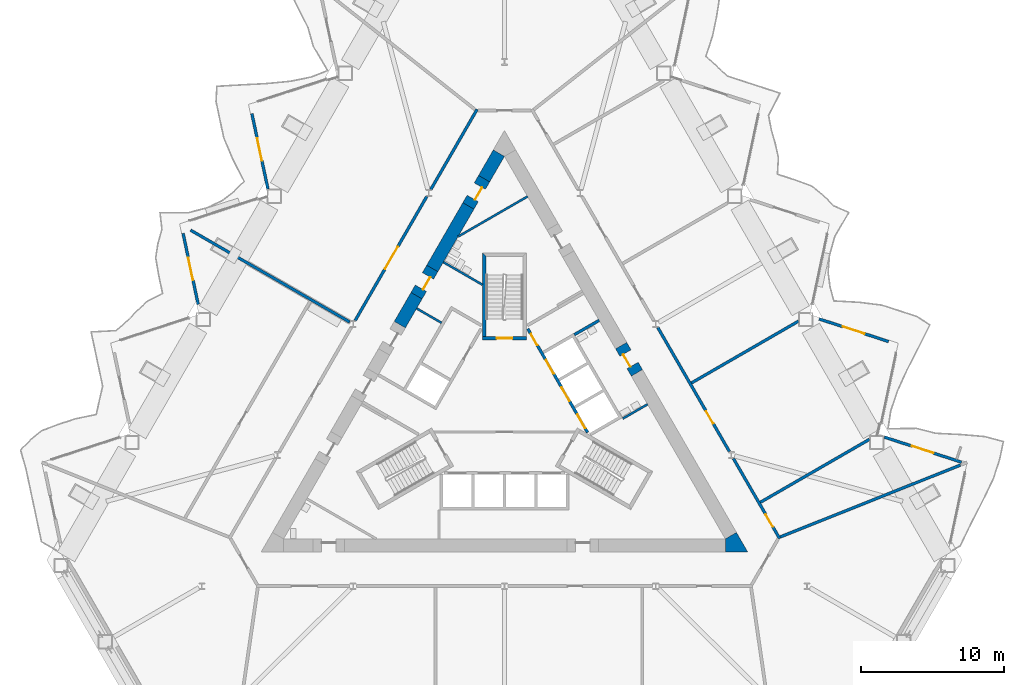
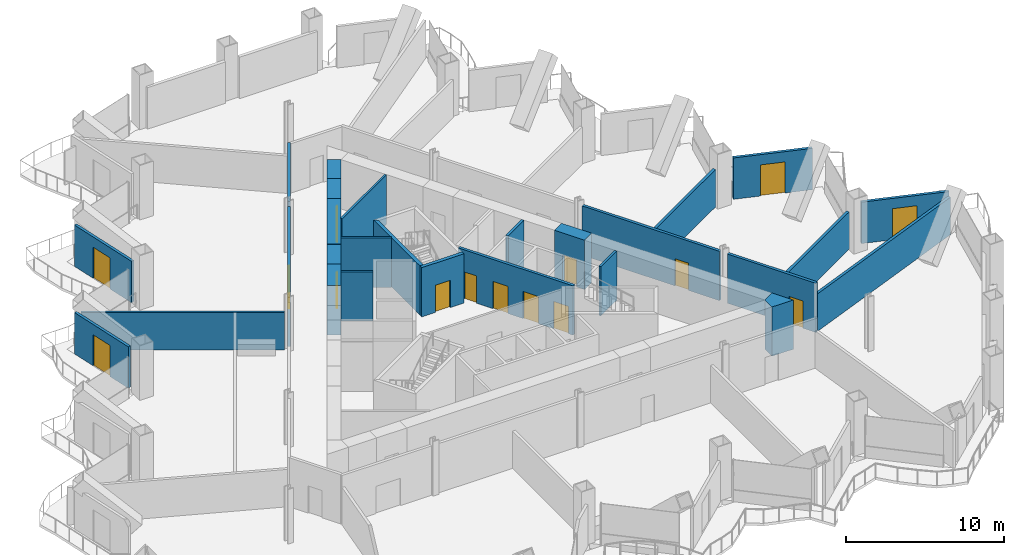
# One storey, part 11 of 22: 27 walls, 15 doors, 15 openings.
"""IFC4 building model written with IfcOpenShell, lengths in metres."""

from ifc_helpers import new_model, si_unit, direction, frame, frame_2d, origin, place, context, subcontext, project, spatial, polyline, rectangle, outline, extrude, material, layer, layer_set, type_object, element, fill, save


model = new_model("IFC4")

# Units and contexts
model_context = context("Model", 3, precision=1e-05, world=origin(), true_north=direction((0.0, 1.0)))
body_context = subcontext(model_context, "Body", "Model", "MODEL_VIEW")
ifc_project = project(units=[si_unit("LENGTHUNIT", "METRE"), si_unit("AREAUNIT", "SQUARE_METRE"), si_unit("VOLUMEUNIT", "CUBIC_METRE"), si_unit("PLANEANGLEUNIT", "RADIAN"), si_unit("MASSUNIT", "GRAM", prefix="KILO")], contexts=[model_context])

# Site, building, storey
site_placement = place(None, origin())
site = spatial("IfcSite", under=ifc_project, at=site_placement, CompositionType="ELEMENT")
building_placement = place(site_placement, origin())
building = spatial("IfcBuilding", under=site, at=building_placement, Name="Cormorant Prow Tower", CompositionType="ELEMENT")
storey_placement = place(building_placement, frame((0.0, 0.0, 30.0)))
storey = spatial("IfcBuildingStorey", under=building, at=storey_placement, Name="L05", CompositionType="ELEMENT", Elevation=30.0)

# Walls
ifc_material_1 = material(Name="Gypsum board partition")
ifc_layer_1 = layer(ifc_material_1, 0.14990234375)
ifc_layer_set_1 = layer_set([ifc_layer_1], Name="Gypsum board partition")
wall_type_1 = type_object("IfcWallType", Name="Core partition 150", PredefinedType="PARTITIONING", material=ifc_layer_set_1)
for number, where, z_axis, x_axis, name in (
    (1, (8.268310546875, -0.509033203125, 0.0), (0.0, 0.0, 1.0), (0.866035824272, 0.499981950752, 0.0), "Service room partition"),
    (2, (-6.139404296875, 7.196044921875, 0.0), (0.0, 0.0, 1.0), (0.866035824272, -0.499981950752, 0.0), "Service room partition"),
):
    element("IfcWall", number, at=place(storey_placement, frame(where, z_axis=z_axis, x_axis=x_axis)), inside=storey, type_object=wall_type_1, Name=name, PredefinedType="PARTITIONING", context=body_context, shape_type="SweptSolid", body=[
        extrude(rectangle(XDim=2.0087890625, YDim=0.14990234375, at=frame_2d((1.00439453125, 0.0))), origin(), (0.0, 0.0, 1.0), 3.800048828125),
    ])
wall_1_placement = place(storey_placement, frame((-4.271240234375, 10.431640625, 0.0), z_axis=(0.0, 0.0, 1.0), x_axis=(0.866018279777, -0.50001233894, 0.0)))
element("IfcWall", 3, at=wall_1_placement, inside=storey, type_object=wall_type_1, Name="Service room partition", PredefinedType="PARTITIONING", context=body_context, shape_type="SweptSolid", body=[
    extrude(rectangle(XDim=3.1591796875, YDim=0.14990234375, at=frame_2d((1.57958984375, 0.0))), origin(), (0.0, 0.0, 1.0), 3.800048828125),
])
wall_2_placement = place(storey_placement, frame((1.61865234375, 15.0263671875, 0.0), z_axis=(0.0, 0.0, 1.0), x_axis=(-0.866015917575, -0.500016430238, 0.0)))
element("IfcWall", 4, at=wall_2_placement, inside=storey, type_object=wall_type_1, Name="Service room partition", PredefinedType="PARTITIONING", context=body_context, shape_type="SweptSolid", body=[
    extrude(rectangle(XDim=5.607177734375, YDim=0.14990234375, at=frame_2d((2.8037109375, 0.0))), origin(), (0.0, 0.0, 1.0), 3.800048828125),
])
ifc_material_2 = material(Name="Concrete 8000 psi", Category="concrete")
ifc_layer_2 = layer(ifc_material_2, 0.89990234375)
ifc_layer_set_2 = layer_set([ifc_layer_2], Name="Concrete 8000 psi")
wall_type_2 = type_object("IfcWallType", Name="Core shear wall 900", PredefinedType="SHEAR", material=ifc_layer_set_2)
wall_3_placement = place(storey_placement, frame((-2.52099609375, 14.363525390625, 0.0), z_axis=(0.0, 0.0, 1.0), x_axis=(-0.500014099723, -0.866017263153, 0.0)))
element("IfcWall", 5, at=wall_3_placement, inside=storey, type_object=wall_type_2, Name="Core wall", PredefinedType="SHEAR", context=body_context, shape_type="SweptSolid", body=[
    extrude(rectangle(XDim=5.048095703125, YDim=0.89990234375, at=frame_2d((2.52392578125, 0.0))), origin(), (0.0, 0.0, 1.0), 3.800048828125),
])
wall_4_placement = place(storey_placement, frame((-6.14501953125, 8.086181640625, 0.0), z_axis=(0.0, 0.0, 1.0), x_axis=(-0.500026924946, -0.866009858102, 0.0)))
element("IfcWall", 6, at=wall_4_placement, inside=storey, type_object=wall_type_2, Name="Core wall", PredefinedType="SHEAR", context=body_context, shape_type="SweptSolid", body=[
    extrude(rectangle(XDim=2.336669921875, YDim=0.89990234375, at=frame_2d((1.16845703125, 0.0))), origin(), (0.0, 0.0, 1.0), 3.800048828125),
])
wall_5_placement = place(storey_placement, frame((-0.3896484375, 18.054931640625, 0.0), z_axis=(0.0, 0.0, 1.0), x_axis=(-0.500009360108, -0.866019999656, 0.0)))
element("IfcWall", 7, at=wall_5_placement, inside=storey, type_object=wall_type_2, Name="Core wall", PredefinedType="SHEAR", context=body_context, shape_type="SweptSolid", body=[
    extrude(rectangle(XDim=2.0625, YDim=0.89990234375, at=frame_2d((1.03125, 0.0))), origin(), (0.0, 0.0, 1.0), 3.800048828125),
])
wall_6_placement = place(storey_placement, origin())
element("IfcWall", 8, at=wall_6_placement, inside=storey, type_object=wall_type_2, Name="Core wall corner", PredefinedType="SHEAR", context=body_context, shape_type="SweptSolid", body=[
    extrude(outline(polyline([(15.441162109375, -9.81494140625), (15.441162109375, -8.9150390625), (16.220703125, -8.465087890625), (17.0, -9.81494140625), (15.441162109375, -9.81494140625)])), origin(), (0.0, 0.0, 1.0), 3.800048828125),
])

# Wall, opening, door
wall_7_placement = place(storey_placement, frame((9.26025390625, 2.690673828125, 0.0), z_axis=(0.0, 0.0, 1.0), x_axis=(-0.499946605688, 0.86605622881, 0.0)))
wall_7 = element("IfcWall", 9, at=wall_7_placement, inside=storey, type_object=wall_type_2, Name="Core wall door panel", PredefinedType="SHEAR", context=body_context, shape_type="SweptSolid", body=[
    extrude(rectangle(XDim=2.199951171875, YDim=0.89990234375, at=frame_2d((1.10009765625, 0.0))), origin(), (0.0, 0.0, 1.0), 3.800048828125),
])
opening_1_placement = place(wall_7_placement, frame((0.60009765625, 0.0, 0.0)))
opening_1 = element("IfcOpeningElement", 10, at=opening_1_placement, cuts=wall_7, Name="Opening L05-C17", PredefinedType="OPENING", context=body_context, shape_type="SweptSolid", body=[
    extrude(rectangle(XDim=1.0, YDim=2.10009765625, at=frame_2d((0.5, 1.050048828125))), frame((0.0, 0.4599609375, 0.0), z_axis=(0.0, -1.0, 0.0), x_axis=(1.0, 0.0, 0.0)), (0.0, 0.0, 1.0), 0.919921875),
])
ifc_material_3 = material(Name="Painted steel", Category="steel")
door_type_1 = type_object("IfcDoorType", Name="Service door 1000x2100", OperationType="NOTDEFINED", PredefinedType="DOOR", material=ifc_material_3)
door_1_placement = place(opening_1_placement, origin())
door_1 = element("IfcDoor", 11, at=door_1_placement, inside=storey, type_object=door_type_1, Name="Core door, Toilets (men) L05", OperationType="SINGLE_SWING_RIGHT", OverallHeight=2.10009765625, OverallWidth=1.0, PredefinedType="DOOR", context=body_context, shape_type="SweptSolid", body=[
    extrude(rectangle(XDim=1.0, YDim=2.10009765625, at=frame_2d((0.5, 1.050048828125))), frame((0.0, 0.205078125, 0.0), z_axis=(0.0, -1.0, 0.0), x_axis=(1.0, 0.0, 0.0)), (0.0, 0.0, 1.0), 0.050048828125),
])
fill(opening_1, door_1)

wall_8_placement = place(storey_placement, frame((-5.045166015625, 9.99169921875, 0.0), z_axis=(0.0, 0.0, 1.0), x_axis=(-0.499898558967, -0.866083962871, 0.0)))
wall_8 = element("IfcWall", 12, at=wall_8_placement, inside=storey, type_object=wall_type_2, Name="Core wall door panel", PredefinedType="SHEAR", context=body_context, shape_type="SweptSolid", body=[
    extrude(rectangle(XDim=2.2001953125, YDim=0.89990234375, at=frame_2d((1.10009765625, 0.0))), origin(), (0.0, 0.0, 1.0), 3.800048828125),
])
opening_2_placement = place(wall_8_placement, frame((0.60009765625, 0.0, 0.0)))
opening_2 = element("IfcOpeningElement", 13, at=opening_2_placement, cuts=wall_8, Name="Opening L05-C19", PredefinedType="OPENING", context=body_context, shape_type="SweptSolid", body=[
    extrude(rectangle(XDim=1.0, YDim=2.10009765625, at=frame_2d((0.5, 1.050048828125))), frame((0.0, 0.4599609375, 0.0), z_axis=(0.0, -1.0, 0.0), x_axis=(1.0, 0.0, 0.0)), (0.0, 0.0, 1.0), 0.919921875),
])
door_2_placement = place(opening_2_placement, origin())
door_2 = element("IfcDoor", 14, at=door_2_placement, inside=storey, type_object=door_type_1, Name="Core door, Electrical room", OperationType="SINGLE_SWING_LEFT", OverallHeight=2.10009765625, OverallWidth=1.0, PredefinedType="DOOR", context=body_context, shape_type="SweptSolid", body=[
    extrude(rectangle(XDim=1.0, YDim=2.10009765625, at=frame_2d((0.5, 1.050048828125))), frame((0.0, 0.205078125, 0.0), z_axis=(0.0, -1.0, 0.0), x_axis=(1.0, 0.0, 0.0)), (0.0, 0.0, 1.0), 0.050048828125),
])
fill(opening_2, door_2)

wall_9_placement = place(storey_placement, frame((-1.4208984375, 16.268798828125, 0.0), z_axis=(0.0, 0.0, 1.0), x_axis=(-0.50002983664, -0.866008176907, 0.0)))
wall_9 = element("IfcWall", 15, at=wall_9_placement, inside=storey, type_object=wall_type_2, Name="Core wall door panel", PredefinedType="SHEAR", context=body_context, shape_type="SweptSolid", body=[
    extrude(rectangle(XDim=2.199951171875, YDim=0.89990234375, at=frame_2d((1.10009765625, 0.0))), origin(), (0.0, 0.0, 1.0), 3.800048828125),
])
opening_3_placement = place(wall_9_placement, frame((0.60009765625, 0.0, 0.0)))
opening_3 = element("IfcOpeningElement", 16, at=opening_3_placement, cuts=wall_9, Name="Opening L05-C21", PredefinedType="OPENING", context=body_context, shape_type="SweptSolid", body=[
    extrude(rectangle(XDim=1.0, YDim=2.10009765625, at=frame_2d((0.5, 1.050048828125))), frame((0.0, 0.4599609375, 0.0), z_axis=(0.0, -1.0, 0.0), x_axis=(1.0, 0.0, 0.0)), (0.0, 0.0, 1.0), 0.919921875),
])
door_3_placement = place(opening_3_placement, origin())
door_3 = element("IfcDoor", 17, at=door_3_placement, inside=storey, type_object=door_type_1, Name="Core door, Refuse store", OperationType="SINGLE_SWING_RIGHT", OverallHeight=2.10009765625, OverallWidth=1.0, PredefinedType="DOOR", context=body_context, shape_type="SweptSolid", body=[
    extrude(rectangle(XDim=1.0, YDim=2.10009765625, at=frame_2d((0.5, 1.050048828125))), frame((0.0, 0.205078125, 0.0), z_axis=(0.0, -1.0, 0.0), x_axis=(1.0, 0.0, 0.0)), (0.0, 0.0, 1.0), 0.050048828125),
])
fill(opening_3, door_3)

ifc_material_4 = material(Name="Gypsum board corridor wall")
ifc_layer_3 = layer(ifc_material_4, 0.199951171875)
ifc_layer_set_3 = layer_set([ifc_layer_3], Name="Gypsum board corridor wall")
wall_type_3 = type_object("IfcWallType", Name="Corridor wall 200", PredefinedType="PARTITIONING", material=ifc_layer_set_3)
wall_10_placement = place(storey_placement, frame((-10.438720703125, 6.349853515625, 0.0), z_axis=(0.0, 0.0, 1.0), x_axis=(0.50001002959, 0.86601961312, 0.0)))
wall_10 = element("IfcWall", 18, at=wall_10_placement, inside=storey, type_object=wall_type_3, Name="Corridor wall", PredefinedType="PARTITIONING", context=body_context, shape_type="SweptSolid", body=[
    extrude(rectangle(XDim=10.018798828125, YDim=0.199951171875, at=frame_2d((5.00927734375, 0.0))), origin(), (0.0, 0.0, 1.0), 3.800048828125),
])
opening_4_placement = place(wall_10_placement, frame((4.15966796875, 0.0, 0.0)))
opening_4 = element("IfcOpeningElement", 19, at=opening_4_placement, cuts=wall_10, Name="Opening L05-F11", PredefinedType="OPENING", context=body_context, shape_type="SweptSolid", body=[
    extrude(rectangle(XDim=1.800048828125, YDim=2.10009765625, at=frame_2d((0.89990234375, 1.050048828125))), frame((0.0, 0.10986328125, 0.0), z_axis=(0.0, -1.0, 0.0), x_axis=(1.0, 0.0, 0.0)), (0.0, 0.0, 1.0), 0.219970703125),
])
ifc_material_5 = material(Name="Timber door leaf", Category="wood")
door_type_2 = type_object("IfcDoorType", Name="Double door 1800x2100", OperationType="DOUBLE_DOOR_SINGLE_SWING", PredefinedType="DOOR", material=ifc_material_5)
door_4_placement = place(opening_4_placement, origin())
door_4 = element("IfcDoor", 20, at=door_4_placement, inside=storey, type_object=door_type_2, Name="Trading room door", OperationType="DOUBLE_DOOR_SINGLE_SWING", OverallHeight=2.10009765625, OverallWidth=1.800048828125, PredefinedType="DOOR", context=body_context, shape_type="SweptSolid", body=[
    extrude(rectangle(XDim=1.800048828125, YDim=2.10009765625, at=frame_2d((0.89990234375, 1.050048828125))), frame((0.0, 0.02490234375, 0.0), z_axis=(0.0, -1.0, 0.0), x_axis=(1.0, 0.0, 0.0)), (0.0, 0.0, 1.0), 0.050048828125),
])
fill(opening_4, door_4)

wall_11_placement = place(storey_placement, frame((10.718505859375, 5.865234375, 0.0), z_axis=(0.0, 0.0, 1.0), x_axis=(0.49999175339, -0.866030164915, 0.0)))
wall_11 = element("IfcWall", 21, at=wall_11_placement, inside=storey, type_object=wall_type_3, Name="Corridor wall", PredefinedType="PARTITIONING", context=body_context, shape_type="SweptSolid", body=[
    extrude(rectangle(XDim=10.018798828125, YDim=0.199951171875, at=frame_2d((5.00927734375, 0.0))), origin(), (0.0, 0.0, 1.0), 3.800048828125),
])
opening_5_placement = place(wall_11_placement, frame((6.764404296875, 0.0, 0.0)))
opening_5 = element("IfcOpeningElement", 22, at=opening_5_placement, cuts=wall_11, Name="Opening L05-F06", PredefinedType="OPENING", context=body_context, shape_type="SweptSolid", body=[
    extrude(rectangle(XDim=1.0, YDim=2.10009765625, at=frame_2d((0.5, 1.050048828125))), frame((0.0, 0.10986328125, 0.0), z_axis=(0.0, -1.0, 0.0), x_axis=(1.0, 0.0, 0.0)), (0.0, 0.0, 1.0), 0.219970703125),
])
ifc_material_6 = material(Name="Timber door leaf", Category="wood")
door_type_3 = type_object("IfcDoorType", Name="Office door 1000x2100", OperationType="NOTDEFINED", PredefinedType="DOOR", material=ifc_material_6)
door_5_placement = place(opening_5_placement, origin())
door_5 = element("IfcDoor", 23, at=door_5_placement, inside=storey, type_object=door_type_3, Name="Tenant suite door", OperationType="SINGLE_SWING_RIGHT", OverallHeight=2.10009765625, OverallWidth=1.0, PredefinedType="DOOR", context=body_context, shape_type="SweptSolid", body=[
    extrude(rectangle(XDim=1.0, YDim=2.10009765625, at=frame_2d((0.5, 1.050048828125))), frame((0.0, 0.02490234375, 0.0), z_axis=(0.0, -1.0, 0.0), x_axis=(1.0, 0.0, 0.0)), (0.0, 0.0, 1.0), 0.050048828125),
])
fill(opening_5, door_5)

# Wall
wall_12_placement = place(storey_placement, frame((-5.1494140625, 15.510986328125, 0.0), z_axis=(0.0, 0.0, 1.0), x_axis=(0.500001069878, 0.866024786089, 0.0)))
element("IfcWall", 24, at=wall_12_placement, inside=storey, type_object=wall_type_3, Name="Corridor wall", PredefinedType="PARTITIONING", context=body_context, shape_type="SweptSolid", body=[
    extrude(rectangle(XDim=6.47265625, YDim=0.199951171875, at=frame_2d((3.236328125, 0.0))), origin(), (0.0, 0.0, 1.0), 3.800048828125),
])

# Wall, opening, door
wall_13_placement = place(storey_placement, frame((16.007568359375, -3.2958984375, 0.0), z_axis=(0.0, 0.0, 1.0), x_axis=(0.499984737558, -0.86603421538, 0.0)))
wall_13 = element("IfcWall", 25, at=wall_13_placement, inside=storey, type_object=wall_type_3, Name="Corridor wall", PredefinedType="PARTITIONING", context=body_context, shape_type="SweptSolid", body=[
    extrude(rectangle(XDim=6.472900390625, YDim=0.199951171875, at=frame_2d((3.236328125, 0.0))), origin(), (0.0, 0.0, 1.0), 3.800048828125),
])
opening_6_placement = place(wall_13_placement, frame((4.51220703125, 0.0, 0.0)))
opening_6 = element("IfcOpeningElement", 26, at=opening_6_placement, cuts=wall_13, Name="Opening L05-F05", PredefinedType="OPENING", context=body_context, shape_type="SweptSolid", body=[
    extrude(rectangle(XDim=1.0, YDim=2.10009765625, at=frame_2d((0.5, 1.050048828125))), frame((0.0, 0.10986328125, 0.0), z_axis=(0.0, -1.0, 0.0), x_axis=(1.0, 0.0, 0.0)), (0.0, 0.0, 1.0), 0.219970703125),
])
door_6_placement = place(opening_6_placement, origin())
door_6 = element("IfcDoor", 27, at=door_6_placement, inside=storey, type_object=door_type_3, Name="Private office door", OperationType="SINGLE_SWING_RIGHT", OverallHeight=2.10009765625, OverallWidth=1.0, PredefinedType="DOOR", context=body_context, shape_type="SweptSolid", body=[
    extrude(rectangle(XDim=1.0, YDim=2.10009765625, at=frame_2d((0.5, 1.050048828125))), frame((0.0, 0.02490234375, 0.0), z_axis=(0.0, -1.0, 0.0), x_axis=(1.0, 0.0, 0.0)), (0.0, 0.0, 1.0), 0.050048828125),
])
fill(opening_6, door_6)

# Walls
ifc_material_7 = material(Name="Gypsum board demising wall")
ifc_layer_4 = layer(ifc_material_7, 0.199951171875)
ifc_layer_set_4 = layer_set([ifc_layer_4], Name="Gypsum board demising wall")
wall_type_4 = type_object("IfcWallType", Name="Demising wall 200", PredefinedType="PARTITIONING", material=ifc_layer_set_4)
wall_14_placement = place(storey_placement, frame((19.286865234375, -8.77783203125, 0.0), z_axis=(0.0, 0.0, 1.0), x_axis=(0.928821541656, 0.370527385973, 0.0)))
element("IfcWall", 28, at=wall_14_placement, inside=storey, type_object=wall_type_4, Name="Demising wall", PredefinedType="PARTITIONING", context=body_context, shape_type="SweptSolid", body=[
    extrude(rectangle(XDim=13.5576171875, YDim=0.199951171875, at=frame_2d((6.77880859375, 0.0))), origin(), (0.0, 0.0, 1.0), 2.88525390625),
])
wall_15_placement = place(storey_placement, frame((-21.947265625, 12.671142578125, 0.0), z_axis=(0.0, 0.0, 1.0), x_axis=(0.866026729935, -0.499997703033, 0.0)))
element("IfcWall", 29, at=wall_15_placement, inside=storey, type_object=wall_type_4, Name="Demising wall", PredefinedType="PARTITIONING", context=body_context, shape_type="SweptSolid", body=[
    extrude(rectangle(XDim=12.84765625, YDim=0.199951171875, at=frame_2d((6.423828125, 0.0))), origin(), (0.0, 0.0, 1.0), 2.88525390625),
])
wall_16_placement = place(storey_placement, frame((17.891357421875, -6.35888671875, 0.0), z_axis=(0.0, 0.0, 1.0), x_axis=(0.866021822855, 0.500006202301, 0.0)))
element("IfcWall", 30, at=wall_16_placement, inside=storey, type_object=wall_type_4, Name="Demising wall", PredefinedType="PARTITIONING", context=body_context, shape_type="SweptSolid", body=[
    extrude(rectangle(XDim=8.8134765625, YDim=0.199951171875, at=frame_2d((4.40673828125, 0.0))), origin(), (0.0, 0.0, 1.0), 2.88525390625),
])
wall_17_placement = place(storey_placement, frame((13.07373046875, 1.9853515625, 0.0), z_axis=(0.0, 0.0, 1.0), x_axis=(0.86602139752, 0.500006938989, 0.0)))
element("IfcWall", 31, at=wall_17_placement, inside=storey, type_object=wall_type_4, Name="Demising wall", PredefinedType="PARTITIONING", context=body_context, shape_type="SweptSolid", body=[
    extrude(rectangle(XDim=8.64208984375, YDim=0.199951171875, at=frame_2d((4.321044921875, 0.0))), origin(), (0.0, 0.0, 1.0), 2.88525390625),
])

# Wall, openings, doors
ifc_material_8 = material(Name="Concrete 5000 psi", Category="concrete")
ifc_layer_5 = layer(ifc_material_8, 0.199951171875)
ifc_layer_set_5 = layer_set([ifc_layer_5], Name="Concrete 5000 psi")
wall_type_5 = type_object("IfcWallType", Name="Lift lobby wall 200", PredefinedType="SOLIDWALL", material=ifc_layer_set_5)
wall_18_placement = place(storey_placement, frame((5.817138671875, -1.4755859375, 0.0), z_axis=(0.0, 0.0, 1.0), x_axis=(-0.500002616675, 0.866023893041, 0.0)))
wall_18 = element("IfcWall", 32, at=wall_18_placement, inside=storey, type_object=wall_type_5, Name="Lift lobby wall, ENE block", PredefinedType="SOLIDWALL", context=body_context, shape_type="SweptSolid", body=[
    extrude(rectangle(XDim=8.373046875, YDim=0.199951171875, at=frame_2d((4.1865234375, 0.0))), origin(), (0.0, 0.0, 1.0), 3.800048828125),
])
opening_7_placement = place(wall_18_placement, frame((0.336669921875, 0.0, 0.0)))
opening_7 = element("IfcOpeningElement", 33, at=opening_7_placement, cuts=wall_18, Name="Opening L05-C05", PredefinedType="OPENING", context=body_context, shape_type="SweptSolid", body=[
    extrude(rectangle(XDim=1.10009765625, YDim=2.10009765625, at=frame_2d((0.550048828125, 1.050048828125))), frame((0.0, 0.10986328125, 0.0), z_axis=(0.0, -1.0, 0.0), x_axis=(1.0, 0.0, 0.0)), (0.0, 0.0, 1.0), 0.219970703125),
])
opening_8_placement = place(wall_18_placement, frame((2.53662109375, 0.0, 0.0)))
opening_8 = element("IfcOpeningElement", 34, at=opening_8_placement, cuts=wall_18, Name="Opening L05-C06", PredefinedType="OPENING", context=body_context, shape_type="SweptSolid", body=[
    extrude(rectangle(XDim=1.10009765625, YDim=2.10009765625, at=frame_2d((0.550048828125, 1.050048828125))), frame((0.0, 0.10986328125, 0.0), z_axis=(0.0, -1.0, 0.0), x_axis=(1.0, 0.0, 0.0)), (0.0, 0.0, 1.0), 0.219970703125),
])
opening_9_placement = place(wall_18_placement, frame((4.736572265625, 0.0, 0.0)))
opening_9 = element("IfcOpeningElement", 35, at=opening_9_placement, cuts=wall_18, Name="Opening L05-C07", PredefinedType="OPENING", context=body_context, shape_type="SweptSolid", body=[
    extrude(rectangle(XDim=1.10009765625, YDim=2.10009765625, at=frame_2d((0.550048828125, 1.050048828125))), frame((0.0, 0.10986328125, 0.0), z_axis=(0.0, -1.0, 0.0), x_axis=(1.0, 0.0, 0.0)), (0.0, 0.0, 1.0), 0.219970703125),
])
opening_10_placement = place(wall_18_placement, frame((7.03662109375, 0.0, 0.0)))
opening_10 = element("IfcOpeningElement", 36, at=opening_10_placement, cuts=wall_18, Name="Opening L05-C08", PredefinedType="OPENING", context=body_context, shape_type="SweptSolid", body=[
    extrude(rectangle(XDim=0.89990234375, YDim=2.10009765625, at=frame_2d((0.449951171875, 1.050048828125))), frame((0.0, 0.10986328125, 0.0), z_axis=(0.0, -1.0, 0.0), x_axis=(1.0, 0.0, 0.0)), (0.0, 0.0, 1.0), 0.219970703125),
])
ifc_material_9 = material(Name="Painted steel", Category="steel")
door_type_4 = type_object("IfcDoorType", Name="Lift landing door 1100x2100", OperationType="SLIDING_TO_LEFT", PredefinedType="DOOR", material=ifc_material_9)
door_7_placement = place(opening_7_placement, origin())
door_7 = element("IfcDoor", 37, at=door_7_placement, inside=storey, type_object=door_type_4, Name="Landing door LR2", OperationType="SLIDING_TO_LEFT", OverallHeight=2.10009765625, OverallWidth=1.10009765625, PredefinedType="DOOR", context=body_context, shape_type="SweptSolid", body=[
    extrude(rectangle(XDim=1.10009765625, YDim=2.10009765625, at=frame_2d((0.550048828125, 1.050048828125))), frame((0.0, 0.02490234375, 0.0), z_axis=(0.0, -1.0, 0.0), x_axis=(1.0, 0.0, 0.0)), (0.0, 0.0, 1.0), 0.050048828125),
])
fill(opening_7, door_7)
door_8_placement = place(opening_8_placement, origin())
door_8 = element("IfcDoor", 38, at=door_8_placement, inside=storey, type_object=door_type_4, Name="Landing door LR3", OperationType="SLIDING_TO_LEFT", OverallHeight=2.10009765625, OverallWidth=1.10009765625, PredefinedType="DOOR", context=body_context, shape_type="SweptSolid", body=[
    extrude(rectangle(XDim=1.10009765625, YDim=2.10009765625, at=frame_2d((0.550048828125, 1.050048828125))), frame((0.0, 0.02490234375, 0.0), z_axis=(0.0, -1.0, 0.0), x_axis=(1.0, 0.0, 0.0)), (0.0, 0.0, 1.0), 0.050048828125),
])
fill(opening_8, door_8)
door_9_placement = place(opening_9_placement, origin())
door_9 = element("IfcDoor", 39, at=door_9_placement, inside=storey, type_object=door_type_4, Name="Landing door LR4", OperationType="SLIDING_TO_LEFT", OverallHeight=2.10009765625, OverallWidth=1.10009765625, PredefinedType="DOOR", context=body_context, shape_type="SweptSolid", body=[
    extrude(rectangle(XDim=1.10009765625, YDim=2.10009765625, at=frame_2d((0.550048828125, 1.050048828125))), frame((0.0, 0.02490234375, 0.0), z_axis=(0.0, -1.0, 0.0), x_axis=(1.0, 0.0, 0.0)), (0.0, 0.0, 1.0), 0.050048828125),
])
fill(opening_9, door_9)
ifc_material_10 = material(Name="Painted steel", Category="steel")
door_type_5 = type_object("IfcDoorType", Name="Service door 900x2100", OperationType="NOTDEFINED", PredefinedType="DOOR", material=ifc_material_10)
door_10_placement = place(opening_10_placement, origin())
door_10 = element("IfcDoor", 40, at=door_10_placement, inside=storey, type_object=door_type_5, Name="Service door, Linen store", OperationType="SINGLE_SWING_RIGHT", OverallHeight=2.10009765625, OverallWidth=0.89990234375, PredefinedType="DOOR", context=body_context, shape_type="SweptSolid", body=[
    extrude(rectangle(XDim=0.89990234375, YDim=2.10009765625, at=frame_2d((0.449951171875, 1.050048828125))), frame((0.0, 0.02490234375, 0.0), z_axis=(0.0, -1.0, 0.0), x_axis=(1.0, 0.0, 0.0)), (0.0, 0.0, 1.0), 0.050048828125),
])
fill(opening_10, door_10)

# Walls
ifc_material_11 = material(Name="Concrete 8000 psi", Category="concrete")
ifc_layer_6 = layer(ifc_material_11, 0.199951171875)
ifc_layer_set_6 = layer_set([ifc_layer_6], Name="Concrete 8000 psi")
wall_type_6 = type_object("IfcWallType", Name="Lift shaft wall 200", PredefinedType="SHEAR", material=ifc_layer_set_6)
wall_19_placement = place(storey_placement, frame((4.880859375, 5.3583984375, 0.0), z_axis=(0.0, 0.0, 1.0), x_axis=(0.866035824272, 0.499981950752, 0.0)))
element("IfcWall", 41, at=wall_19_placement, inside=storey, type_object=wall_type_6, Name="Store side wall", PredefinedType="SHEAR", context=body_context, shape_type="SweptSolid", body=[
    extrude(rectangle(XDim=2.0087890625, YDim=0.199951171875, at=frame_2d((1.00439453125, 0.0))), origin(), (0.0, 0.0, 1.0), 3.800048828125),
])
ifc_material_12 = material(Name="Concrete 8000 psi", Category="concrete")
ifc_layer_7 = layer(ifc_material_12, 0.25)
ifc_layer_set_7 = layer_set([ifc_layer_7], Name="Concrete 8000 psi")
wall_type_7 = type_object("IfcWallType", Name="Stair wall 250", PredefinedType="SHEAR", material=ifc_layer_set_7)
wall_20_placement = place(storey_placement, origin())
element("IfcWall", 42, at=wall_20_placement, inside=storey, type_object=wall_type_7, Name="Stair ST3 enclosure wall (flank)", PredefinedType="SHEAR", context=body_context, shape_type="SweptSolid", body=[
    extrude(outline(polyline([(-1.2939453125, 10.8369140625), (-1.5439453125, 11.0869140625), (-1.5439453125, 5.23681640625), (-1.2939453125, 5.23681640625), (-1.2939453125, 10.8369140625)])), origin(), (0.0, 0.0, 1.0), 3.800048828125),
])

# Wall, opening, door
wall_21_placement = place(storey_placement, frame((1.5439453125, 5.11181640625, 0.0), z_axis=(0.0, 0.0, 1.0), x_axis=(-1.0, 0.0, 0.0)))
wall_21 = element("IfcWall", 43, at=wall_21_placement, inside=storey, type_object=wall_type_7, Name="Stair ST3 door wall", PredefinedType="SHEAR", context=body_context, shape_type="SweptSolid", body=[
    extrude(rectangle(XDim=3.087890625, YDim=0.25, at=frame_2d((1.5439453125, 0.0))), origin(), (0.0, 0.0, 1.0), 3.800048828125),
])
opening_11_placement = place(wall_21_placement, frame((0.993896484375, 0.0, 0.0)))
opening_11 = element("IfcOpeningElement", 44, at=opening_11_placement, cuts=wall_21, Name="Opening L05-C13", PredefinedType="OPENING", context=body_context, shape_type="SweptSolid", body=[
    extrude(rectangle(XDim=1.10009765625, YDim=2.10009765625, at=frame_2d((0.550048828125, 1.050048828125))), frame((0.0, 0.135009765625, 0.0), z_axis=(0.0, -1.0, 0.0), x_axis=(1.0, 0.0, 0.0)), (0.0, 0.0, 1.0), 0.27001953125),
])
ifc_material_13 = material(Name="Painted steel", Category="steel")
door_type_6 = type_object("IfcDoorType", Name="Stair door 1100x2100", OperationType="NOTDEFINED", PredefinedType="DOOR", material=ifc_material_13)
door_11_placement = place(opening_11_placement, origin())
door_11 = element("IfcDoor", 45, at=door_11_placement, inside=storey, type_object=door_type_6, Name="Stair ST3 door", OperationType="SINGLE_SWING_LEFT", OverallHeight=2.10009765625, OverallWidth=1.10009765625, PredefinedType="DOOR", context=body_context, shape_type="SweptSolid", body=[
    extrude(rectangle(XDim=1.10009765625, YDim=2.10009765625, at=frame_2d((0.550048828125, 1.050048828125))), frame((0.0, 0.02490234375, 0.0), z_axis=(0.0, -1.0, 0.0), x_axis=(1.0, 0.0, 0.0)), (0.0, 0.0, 1.0), 0.050048828125),
])
fill(opening_11, door_11)

ifc_material_14 = material(Name="Terracotta", Category="masonry")
ifc_layer_8 = layer(ifc_material_14, 0.199951171875)
ifc_layer_set_8 = layer_set([ifc_layer_8], Name="Terracotta")
wall_type_8 = type_object("IfcWallType", Name="Terracotta jamb wall 200", PredefinedType="SOLIDWALL", material=ifc_layer_set_8)
wall_22_placement = place(storey_placement, frame((31.95166015625, -3.5517578125, 0.0), z_axis=(0.0, 0.0, 1.0), x_axis=(-0.951049886998, 0.309037396509, 0.0)))
wall_22 = element("IfcWall", 46, at=wall_22_placement, inside=storey, type_object=wall_type_8, Name="Terracotta jamb wall ENE01", PredefinedType="SOLIDWALL", context=body_context, shape_type="SweptSolid", body=[
    extrude(rectangle(XDim=5.670654296875, YDim=0.199951171875, at=frame_2d((2.83544921875, 0.0))), origin(), (0.0, 0.0, 1.0), 3.18896484375),
])
opening_12_placement = place(wall_22_placement, frame((2.057373046875, 0.0, 0.0)))
opening_12 = element("IfcOpeningElement", 47, at=opening_12_placement, cuts=wall_22, Name="Opening ED05.06", PredefinedType="OPENING", context=body_context, shape_type="SweptSolid", body=[
    extrude(rectangle(XDim=1.60009765625, YDim=2.39990234375, at=frame_2d((0.800048828125, 1.199951171875))), frame((0.0, 0.10986328125, 0.0), z_axis=(0.0, -1.0, 0.0), x_axis=(1.0, 0.0, 0.0)), (0.0, 0.0, 1.0), 0.219970703125),
])
ifc_material_15 = material(Name="Aluminium 6063-T6", Category="aluminium")
door_type_7 = type_object("IfcDoorType", Name="Balcony door 1600x2400", OperationType="DOUBLE_DOOR_SINGLE_SWING", PredefinedType="DOOR", material=ifc_material_15)
door_12_placement = place(opening_12_placement, origin())
door_12 = element("IfcDoor", 48, at=door_12_placement, inside=storey, type_object=door_type_7, Name="Balcony door ENE01 ED05.06", OperationType="DOUBLE_DOOR_SINGLE_SWING", OverallHeight=2.39990234375, OverallWidth=1.60009765625, PredefinedType="DOOR", context=body_context, shape_type="SweptSolid", body=[
    extrude(rectangle(XDim=1.60009765625, YDim=2.39990234375, at=frame_2d((0.800048828125, 1.199951171875))), frame((0.0, 0.02490234375, 0.0), z_axis=(0.0, -1.0, 0.0), x_axis=(1.0, 0.0, 0.0)), (0.0, 0.0, 1.0), 0.050048828125),
])
fill(opening_12, door_12)

wall_23_placement = place(storey_placement, frame((26.851318359375, 4.884521484375, 0.0), z_axis=(0.0, 0.0, 1.0), x_axis=(-0.951055181617, 0.309021102063, 0.0)))
wall_23 = element("IfcWall", 49, at=wall_23_placement, inside=storey, type_object=wall_type_8, Name="Terracotta jamb wall ENE03", PredefinedType="SOLIDWALL", context=body_context, shape_type="SweptSolid", body=[
    extrude(rectangle(XDim=5.09814453125, YDim=0.199951171875, at=frame_2d((2.549072265625, 0.0))), origin(), (0.0, 0.0, 1.0), 3.18896484375),
])
opening_13_placement = place(wall_23_placement, frame((1.759765625, 0.0, 0.0)))
opening_13 = element("IfcOpeningElement", 50, at=opening_13_placement, cuts=wall_23, Name="Opening ED05.07", PredefinedType="OPENING", context=body_context, shape_type="SweptSolid", body=[
    extrude(rectangle(XDim=1.60009765625, YDim=2.39990234375, at=frame_2d((0.800048828125, 1.199951171875))), frame((0.0, 0.10986328125, 0.0), z_axis=(0.0, -1.0, 0.0), x_axis=(1.0, 0.0, 0.0)), (0.0, 0.0, 1.0), 0.219970703125),
])
door_13_placement = place(opening_13_placement, origin())
door_13 = element("IfcDoor", 51, at=door_13_placement, inside=storey, type_object=door_type_7, Name="Balcony door ENE03 ED05.07", OperationType="DOUBLE_DOOR_SINGLE_SWING", OverallHeight=2.39990234375, OverallWidth=1.60009765625, PredefinedType="DOOR", context=body_context, shape_type="SweptSolid", body=[
    extrude(rectangle(XDim=1.60009765625, YDim=2.39990234375, at=frame_2d((0.800048828125, 1.199951171875))), frame((0.0, 0.02490234375, 0.0), z_axis=(0.0, -1.0, 0.0), x_axis=(1.0, 0.0, 0.0)), (0.0, 0.0, 1.0), 0.050048828125),
])
fill(opening_13, door_13)

wall_24_placement = place(storey_placement, frame((-17.65576171875, 20.811767578125, 0.0), z_axis=(0.0, 0.0, 1.0), x_axis=(0.207929714578, -0.978143769492, 0.0)))
wall_24 = element("IfcWall", 52, at=wall_24_placement, inside=storey, type_object=wall_type_8, Name="Terracotta jamb wall WNW03", PredefinedType="SOLIDWALL", context=body_context, shape_type="SweptSolid", body=[
    extrude(rectangle(XDim=5.390625, YDim=0.199951171875, at=frame_2d((2.6953125, 0.0))), origin(), (0.0, 0.0, 1.0), 3.18896484375),
])
opening_14_placement = place(wall_24_placement, frame((1.759765625, 0.0, 0.0)))
opening_14 = element("IfcOpeningElement", 53, at=opening_14_placement, cuts=wall_24, Name="Opening ED05.12", PredefinedType="OPENING", context=body_context, shape_type="SweptSolid", body=[
    extrude(rectangle(XDim=1.60009765625, YDim=2.39990234375, at=frame_2d((0.800048828125, 1.199951171875))), frame((0.0, 0.10986328125, 0.0), z_axis=(0.0, -1.0, 0.0), x_axis=(1.0, 0.0, 0.0)), (0.0, 0.0, 1.0), 0.219970703125),
])
door_14_placement = place(opening_14_placement, origin())
door_14 = element("IfcDoor", 54, at=door_14_placement, inside=storey, type_object=door_type_7, Name="Balcony door WNW03 ED05.12", OperationType="DOUBLE_DOOR_SINGLE_SWING", OverallHeight=2.39990234375, OverallWidth=1.60009765625, PredefinedType="DOOR", context=body_context, shape_type="SweptSolid", body=[
    extrude(rectangle(XDim=1.60009765625, YDim=2.39990234375, at=frame_2d((0.800048828125, 1.199951171875))), frame((0.0, 0.02490234375, 0.0), z_axis=(0.0, -1.0, 0.0), x_axis=(1.0, 0.0, 0.0)), (0.0, 0.0, 1.0), 0.050048828125),
])
fill(opening_14, door_14)

wall_25_placement = place(storey_placement, frame((-22.46875, 12.4462890625, 0.0), z_axis=(0.0, 0.0, 1.0), x_axis=(0.207903044531, -0.978149438519, 0.0)))
wall_25 = element("IfcWall", 55, at=wall_25_placement, inside=storey, type_object=wall_type_8, Name="Terracotta jamb wall WNW05", PredefinedType="SOLIDWALL", context=body_context, shape_type="SweptSolid", body=[
    extrude(rectangle(XDim=5.076416015625, YDim=0.199951171875, at=frame_2d((2.5380859375, 0.0))), origin(), (0.0, 0.0, 1.0), 3.18896484375),
])
opening_15_placement = place(wall_25_placement, frame((1.73828125, 0.0, 0.0)))
opening_15 = element("IfcOpeningElement", 56, at=opening_15_placement, cuts=wall_25, Name="Opening ED05.13", PredefinedType="OPENING", context=body_context, shape_type="SweptSolid", body=[
    extrude(rectangle(XDim=1.60009765625, YDim=2.39990234375, at=frame_2d((0.800048828125, 1.199951171875))), frame((0.0, 0.10986328125, 0.0), z_axis=(0.0, -1.0, 0.0), x_axis=(1.0, 0.0, 0.0)), (0.0, 0.0, 1.0), 0.219970703125),
])
door_15_placement = place(opening_15_placement, origin())
door_15 = element("IfcDoor", 57, at=door_15_placement, inside=storey, type_object=door_type_7, Name="Balcony door WNW05 ED05.13", OperationType="DOUBLE_DOOR_SINGLE_SWING", OverallHeight=2.39990234375, OverallWidth=1.60009765625, PredefinedType="DOOR", context=body_context, shape_type="SweptSolid", body=[
    extrude(rectangle(XDim=1.60009765625, YDim=2.39990234375, at=frame_2d((0.800048828125, 1.199951171875))), frame((0.0, 0.02490234375, 0.0), z_axis=(0.0, -1.0, 0.0), x_axis=(1.0, 0.0, 0.0)), (0.0, 0.0, 1.0), 0.050048828125),
])
fill(opening_15, door_15)

save(model, "model.ifc")
